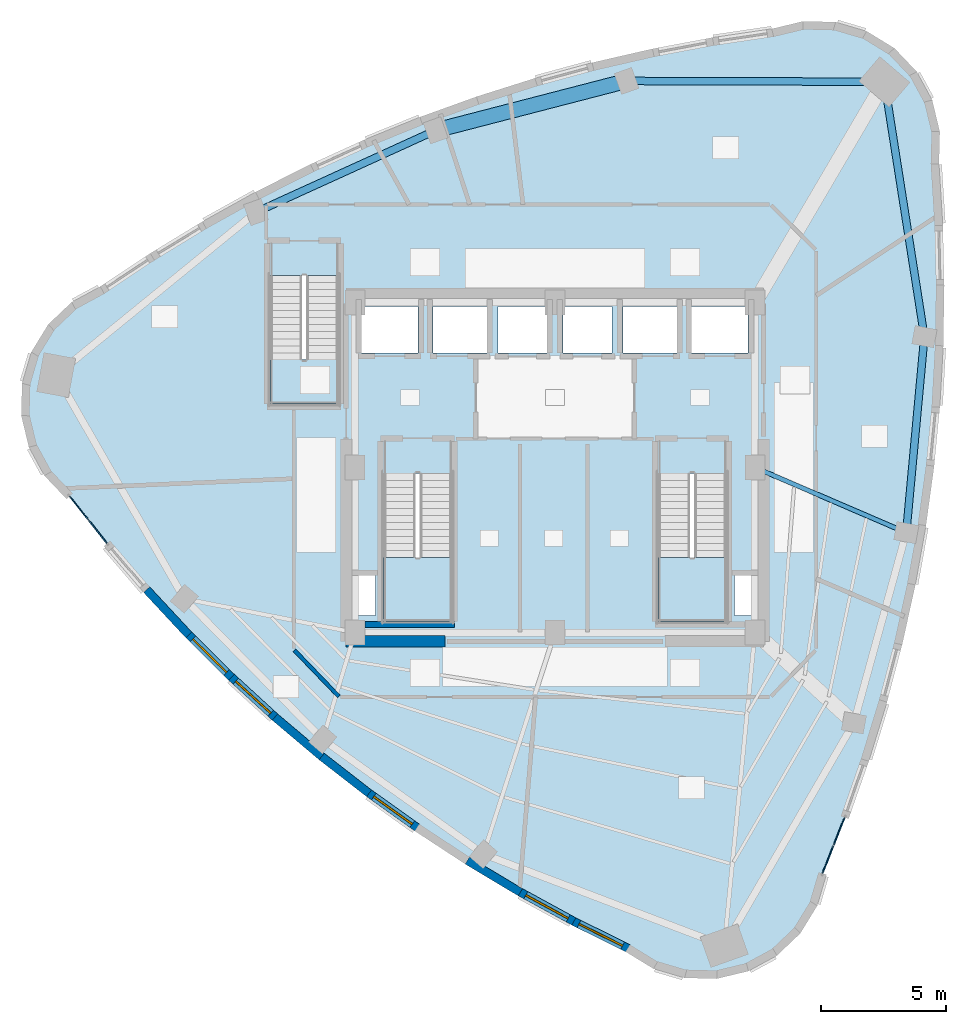
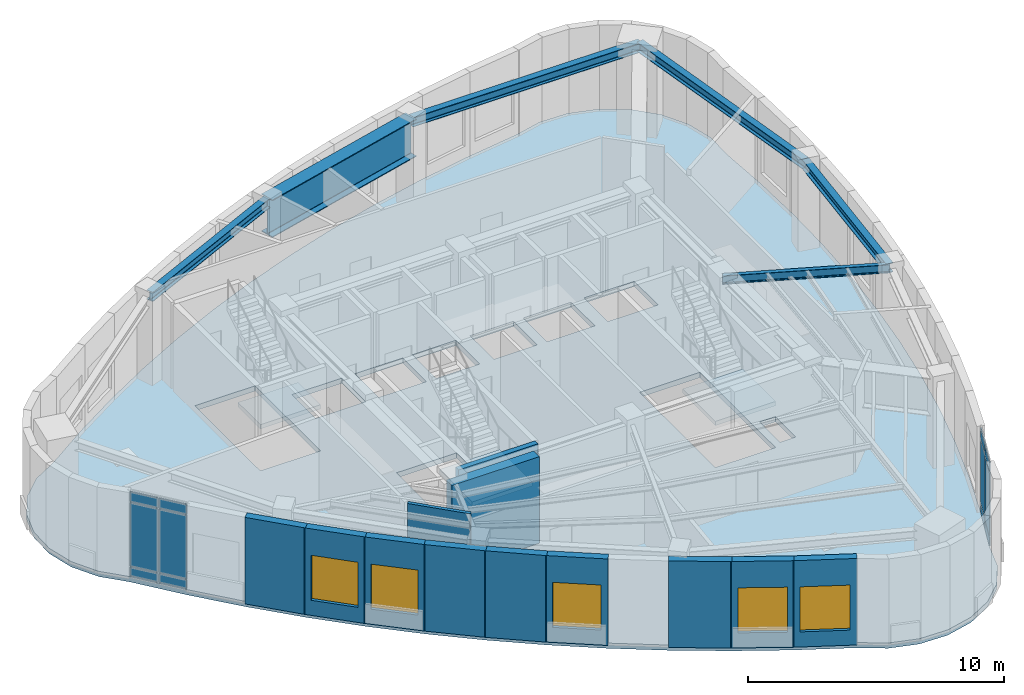
# One storey, part 7 of 14: 12 plates, 12 walls, 6 beams, 5 windows, 4 slabs, 5 openings, 5 elements without a shape of their own.
"""IFC4 building model written with IfcOpenShell, lengths in metres."""

from ifc_helpers import new_model, si_unit, direction, frame, frame_2d, origin, origin_2d, place, context, subcontext, project, spatial, polyline, rectangle, i_section, outline, extrude, material, layer, layer_set, material_profile, profile_set, type_object, element, fill, aggregate, save


model = new_model("IFC4")

# Units and contexts
model_context = context("Model", 3, precision=1e-05, world=origin(), true_north=direction((0.0, 1.0)))
body_context = subcontext(model_context, "Body", "Model", "MODEL_VIEW")
ifc_project = project(units=[si_unit("LENGTHUNIT", "METRE"), si_unit("AREAUNIT", "SQUARE_METRE"), si_unit("VOLUMEUNIT", "CUBIC_METRE"), si_unit("PLANEANGLEUNIT", "RADIAN"), si_unit("MASSUNIT", "GRAM", prefix="KILO")], contexts=[model_context])

# Site, building, storey
site_placement = place(None, origin())
site = spatial("IfcSite", under=ifc_project, at=site_placement, CompositionType="ELEMENT")
building_placement = place(site_placement, origin())
building = spatial("IfcBuilding", under=site, at=building_placement, Name="Ndelora Gate Hotel", CompositionType="ELEMENT")
storey_placement = place(building_placement, frame((0.0, 0.0, 281.60009765625)))
storey = spatial("IfcBuildingStorey", under=building, at=storey_placement, Name="L70", CompositionType="ELEMENT", Elevation=281.60009765625)

# Beams
ifc_material_1 = material(Name="Steel S355", Category="steel")
ifc_material_profile_1 = material_profile(ifc_material_1, i_section(OverallWidth=0.179931640625, OverallDepth=0.39990234375, WebThickness=0.008544921875, FlangeThickness=0.013427734375, FilletRadius=0.02099609375, at=origin_2d()), Name="IPE 400")
ifc_profile_set_1 = profile_set([ifc_material_profile_1], Name="Steel S355")
beam_type_1 = type_object("IfcBeamType", Name="BM-RAD-400", PredefinedType="BEAM", material=ifc_profile_set_1)
beam_1_placement = place(storey_placement, frame((8.0, 0.0, 3.919921875), z_axis=(0.918526539717, -0.395359324964, 0.0), x_axis=(0.395359324964, 0.918526539717, 0.0)))
element("IfcBeam", 1, at=beam_1_placement, inside=storey, type_object=beam_type_1, Name="L70 Radial Floor Girder 7", PredefinedType="BEAM", context=body_context, shape_type="SweptSolid", body=[
    extrude(i_section(OverallWidth=0.179931640625, OverallDepth=0.39990234375, WebThickness=0.008544921875, FlangeThickness=0.013427734375, FilletRadius=0.02099609375, at=origin_2d()), origin(), (0.0, 0.0, 1.0), 6.58642578125),
])
ifc_material_profile_2 = material_profile(ifc_material_1, i_section(OverallWidth=0.300048828125, OverallDepth=0.449951171875, WebThickness=0.013916015625, FlangeThickness=0.02587890625, FilletRadius=0.027099609375, at=origin_2d()), Name="HEB 450")
ifc_profile_set_2 = profile_set([ifc_material_profile_2], Name="Steel S355")
beam_type_2 = type_object("IfcBeamType", Name="BM-RING-450", PredefinedType="SPANDREL", material=ifc_profile_set_2)
beam_2_placement = place(storey_placement, frame((14.0498046875, -2.60400390625, 3.89501953125), z_axis=(0.092138400608, 0.995746210203, 0.0), x_axis=(-0.995746210203, 0.092138400608, 0.0)))
element("IfcBeam", 2, at=beam_2_placement, inside=storey, type_object=beam_type_2, Name="L70 Perimeter Spandrel Girder 7", PredefinedType="SPANDREL", context=body_context, shape_type="SweptSolid", body=[
    extrude(i_section(OverallWidth=0.300048828125, OverallDepth=0.449951171875, WebThickness=0.013916015625, FlangeThickness=0.02587890625, FilletRadius=0.027099609375, at=origin_2d()), origin(), (0.0, 0.0, 1.0), 7.86962890625),
])
beam_3_placement = place(storey_placement, frame((14.77490234375, 5.232177734375, 3.89501953125), z_axis=(-0.154824264006, 0.987942026272, 0.0), x_axis=(-0.987942026272, -0.154824264006, 0.0)))
element("IfcBeam", 3, at=beam_3_placement, inside=storey, type_object=beam_type_2, Name="L70 Perimeter Spandrel Girder 8", PredefinedType="SPANDREL", context=body_context, shape_type="SweptSolid", body=[
    extrude(i_section(OverallWidth=0.300048828125, OverallDepth=0.449951171875, WebThickness=0.013916015625, FlangeThickness=0.02587890625, FilletRadius=0.027099609375, at=origin_2d()), origin(), (0.0, 0.0, 1.0), 10.32080078125),
])
beam_4_placement = place(storey_placement, frame((13.177001953125, 15.428466796875, 3.89501953125), z_axis=(-0.999994967187, 0.003172632958, 0.0), x_axis=(-0.003172632958, -0.999994967187, 0.0)))
element("IfcBeam", 4, at=beam_4_placement, inside=storey, type_object=beam_type_2, Name="L70 Perimeter Spandrel Girder 9", PredefinedType="SPANDREL", context=body_context, shape_type="SweptSolid", body=[
    extrude(i_section(OverallWidth=0.300048828125, OverallDepth=0.449951171875, WebThickness=0.013916015625, FlangeThickness=0.02587890625, FilletRadius=0.027099609375, at=origin_2d()), origin(), (0.0, 0.0, 1.0), 10.3115234375),
])
beam_5_placement = place(storey_placement, frame((-4.7744140625, 13.482666015625, 3.90478515625), z_axis=(-0.910089762217, -0.414411178309, 0.0), x_axis=(0.414411178309, -0.910089762217, 0.0)))
element("IfcBeam", 5, at=beam_5_placement, inside=storey, type_object=beam_type_2, Name="L70 Perimeter Spandrel Girder 11", PredefinedType="SPANDREL", context=body_context, shape_type="SweptSolid", body=[
    extrude(i_section(OverallWidth=0.300048828125, OverallDepth=0.449951171875, WebThickness=0.013916015625, FlangeThickness=0.02587890625, FilletRadius=0.027099609375, at=origin_2d()), origin(), (0.0, 0.0, 1.0), 7.891845703125),
])
ifc_material_2 = material(Name="Steel S460", Category="steel")
ifc_material_profile_3 = material_profile(ifc_material_2, i_section(OverallWidth=0.60009765625, OverallDepth=1.800048828125, WebThickness=0.028076171875, FlangeThickness=0.0400390625, FilletRadius=0.02392578125, at=origin_2d()), Name="PG 1800x600x40")
ifc_profile_set_3 = profile_set([ifc_material_profile_3], Name="Steel S460")
beam_type_3 = type_object("IfcBeamType", Name="BM-TR-1800", PredefinedType="BEAM", material=ifc_profile_set_3)
beam_6_placement = place(storey_placement, frame((2.865478515625, 15.461181640625, 3.22998046875), z_axis=(-0.968064499617, -0.250701265615, 0.0), x_axis=(0.250701265615, -0.968064499617, 0.0)))
element("IfcBeam", 6, at=beam_6_placement, inside=storey, type_object=beam_type_3, Name="L70 East Crown North Transfer Girder TG-1", PredefinedType="BEAM", context=body_context, shape_type="SweptSolid", body=[
    extrude(i_section(OverallWidth=0.60009765625, OverallDepth=1.800048828125, WebThickness=0.028076171875, FlangeThickness=0.0400390625, FilletRadius=0.02392578125, at=origin_2d()), origin(), (0.0, 0.0, 1.0), 7.891845703125),
])

# Curtain wall, plates
ifc_material_3 = material(Name="Bronze Anodised Unitised Aluminium and Low-E Glass", Category="aluminium")
ifc_layer_1 = layer(ifc_material_3, 0.219970703125)
ifc_layer_set_1 = layer_set([ifc_layer_1], Name="Bronze Anodised Unitised Aluminium and Low-E Glass")
curtain_wall_type = type_object("IfcCurtainWallType", Name="CW-SYS-6", PredefinedType="NOTDEFINED", material=ifc_layer_set_1)
curtain_wall_1_placement = place(storey_placement, origin())
curtain_wall_1 = element("IfcCurtainWall", 7, at=curtain_wall_1_placement, inside=storey, type_object=curtain_wall_type, Name="L70 Crown Sky-Restaurant & Cocktail Bar Curtain Wall 1", PredefinedType="NOTDEFINED")
ifc_material_4 = material(Name="Solar-Control Low-E Insulated Glazing", Category="glass")
ifc_layer_2 = layer(ifc_material_4, 0.048095703125)
ifc_layer_set_2 = layer_set([ifc_layer_2], Name="Solar-Control Low-E Insulated Glazing")
plate_type = type_object("IfcPlateType", Name="PL-CW-GLZ36", PredefinedType="CURTAIN_PANEL", material=ifc_layer_set_2)
plate_1_placement = place(storey_placement, frame((-19.042236328125, -1.61767578125, 0.058837890625), z_axis=(0.0, 0.0, 1.0), x_axis=(0.621504931243, -0.783410250406, 0.0)))
plate_1 = element("IfcPlate", 8, at=plate_1_placement, type_object=plate_type, Name="CW6 panel 1.1", PredefinedType="CURTAIN_PANEL", context=body_context, shape_type="SweptSolid", body=[
    extrude(rectangle(XDim=1.162841796875, YDim=0.048095703125, at=origin_2d()), origin(), (0.0, 0.0, 1.0), 0.41455078125),
])
plate_2_placement = place(storey_placement, frame((-19.042236328125, -1.61767578125, 0.5263671875), z_axis=(0.0, 0.0, 1.0), x_axis=(0.621504931243, -0.783410250406, 0.0)))
plate_2 = element("IfcPlate", 9, at=plate_2_placement, type_object=plate_type, Name="CW6 panel 1.2", PredefinedType="CURTAIN_PANEL", context=body_context, shape_type="SweptSolid", body=[
    extrude(rectangle(XDim=1.162841796875, YDim=0.048095703125, at=origin_2d()), origin(), (0.0, 0.0, 1.0), 3.027099609375),
])
plate_3_placement = place(storey_placement, frame((-19.042236328125, -1.61767578125, 3.6064453125), z_axis=(0.0, 0.0, 1.0), x_axis=(0.621504931243, -0.783410250406, 0.0)))
plate_3 = element("IfcPlate", 10, at=plate_3_placement, type_object=plate_type, Name="CW6 panel 1.3", PredefinedType="CURTAIN_PANEL", context=body_context, shape_type="SweptSolid", body=[
    extrude(rectangle(XDim=1.162841796875, YDim=0.048095703125, at=origin_2d()), origin(), (0.0, 0.0, 1.0), 0.464599609375),
])
plate_4_placement = place(storey_placement, frame((-18.28662109375, -2.570068359375, 0.058837890625), z_axis=(0.0, 0.0, 1.0), x_axis=(0.621504931243, -0.783410250406, 0.0)))
plate_4 = element("IfcPlate", 11, at=plate_4_placement, type_object=plate_type, Name="CW6 panel 2.1", PredefinedType="CURTAIN_PANEL", context=body_context, shape_type="SweptSolid", body=[
    extrude(rectangle(XDim=1.162841796875, YDim=0.048095703125, at=origin_2d()), origin(), (0.0, 0.0, 1.0), 0.41455078125),
])
plate_5_placement = place(storey_placement, frame((-18.28662109375, -2.570068359375, 0.5263671875), z_axis=(0.0, 0.0, 1.0), x_axis=(0.621504931243, -0.783410250406, 0.0)))
plate_5 = element("IfcPlate", 12, at=plate_5_placement, type_object=plate_type, Name="CW6 panel 2.2", PredefinedType="CURTAIN_PANEL", context=body_context, shape_type="SweptSolid", body=[
    extrude(rectangle(XDim=1.162841796875, YDim=0.048095703125, at=origin_2d()), origin(), (0.0, 0.0, 1.0), 3.027099609375),
])
plate_6_placement = place(storey_placement, frame((-18.28662109375, -2.570068359375, 3.6064453125), z_axis=(0.0, 0.0, 1.0), x_axis=(0.621504931243, -0.783410250406, 0.0)))
plate_6 = element("IfcPlate", 13, at=plate_6_placement, type_object=plate_type, Name="CW6 panel 2.3", PredefinedType="CURTAIN_PANEL", context=body_context, shape_type="SweptSolid", body=[
    extrude(rectangle(XDim=1.162841796875, YDim=0.048095703125, at=origin_2d()), origin(), (0.0, 0.0, 1.0), 0.464599609375),
])
aggregate(curtain_wall_1, [plate_1, plate_2, plate_3, plate_4, plate_5, plate_6])

curtain_wall_2_placement = place(storey_placement, origin())
curtain_wall_2 = element("IfcCurtainWall", 14, at=curtain_wall_2_placement, inside=storey, type_object=curtain_wall_type, Name="L70 Crown Sky-Restaurant & Cocktail Bar Curtain Wall 2", PredefinedType="NOTDEFINED")
plate_7_placement = place(storey_placement, frame((10.922119140625, -15.682373046875, 0.058837890625), z_axis=(0.0, 0.0, 1.0), x_axis=(0.367699973869, 0.929944476416, 0.0)))
plate_7 = element("IfcPlate", 15, at=plate_7_placement, type_object=plate_type, Name="CW6 panel 1.1", PredefinedType="CURTAIN_PANEL", context=body_context, shape_type="SweptSolid", body=[
    extrude(rectangle(XDim=1.162841796875, YDim=0.048095703125, at=origin_2d()), origin(), (0.0, 0.0, 1.0), 0.41455078125),
])
plate_8_placement = place(storey_placement, frame((10.922119140625, -15.682373046875, 0.5263671875), z_axis=(0.0, 0.0, 1.0), x_axis=(0.367699973869, 0.929944476416, 0.0)))
plate_8 = element("IfcPlate", 16, at=plate_8_placement, type_object=plate_type, Name="CW6 panel 1.2", PredefinedType="CURTAIN_PANEL", context=body_context, shape_type="SweptSolid", body=[
    extrude(rectangle(XDim=1.162841796875, YDim=0.048095703125, at=origin_2d()), origin(), (0.0, 0.0, 1.0), 3.027099609375),
])
plate_9_placement = place(storey_placement, frame((10.922119140625, -15.682373046875, 3.6064453125), z_axis=(0.0, 0.0, 1.0), x_axis=(0.367699973869, 0.929944476416, 0.0)))
plate_9 = element("IfcPlate", 17, at=plate_9_placement, type_object=plate_type, Name="CW6 panel 1.3", PredefinedType="CURTAIN_PANEL", context=body_context, shape_type="SweptSolid", body=[
    extrude(rectangle(XDim=1.162841796875, YDim=0.048095703125, at=origin_2d()), origin(), (0.0, 0.0, 1.0), 0.464599609375),
])
plate_10_placement = place(storey_placement, frame((11.369140625, -14.5517578125, 0.058837890625), z_axis=(0.0, 0.0, 1.0), x_axis=(0.367699973869, 0.929944476416, 0.0)))
plate_10 = element("IfcPlate", 18, at=plate_10_placement, type_object=plate_type, Name="CW6 panel 2.1", PredefinedType="CURTAIN_PANEL", context=body_context, shape_type="SweptSolid", body=[
    extrude(rectangle(XDim=1.162841796875, YDim=0.048095703125, at=origin_2d()), origin(), (0.0, 0.0, 1.0), 0.41455078125),
])
plate_11_placement = place(storey_placement, frame((11.369140625, -14.5517578125, 0.5263671875), z_axis=(0.0, 0.0, 1.0), x_axis=(0.367699973869, 0.929944476416, 0.0)))
plate_11 = element("IfcPlate", 19, at=plate_11_placement, type_object=plate_type, Name="CW6 panel 2.2", PredefinedType="CURTAIN_PANEL", context=body_context, shape_type="SweptSolid", body=[
    extrude(rectangle(XDim=1.162841796875, YDim=0.048095703125, at=origin_2d()), origin(), (0.0, 0.0, 1.0), 3.027099609375),
])
plate_12_placement = place(storey_placement, frame((11.369140625, -14.5517578125, 3.6064453125), z_axis=(0.0, 0.0, 1.0), x_axis=(0.367699973869, 0.929944476416, 0.0)))
plate_12 = element("IfcPlate", 20, at=plate_12_placement, type_object=plate_type, Name="CW6 panel 2.3", PredefinedType="CURTAIN_PANEL", context=body_context, shape_type="SweptSolid", body=[
    extrude(rectangle(XDim=1.162841796875, YDim=0.048095703125, at=origin_2d()), origin(), (0.0, 0.0, 1.0), 0.464599609375),
])
aggregate(curtain_wall_2, [plate_7, plate_8, plate_9, plate_10, plate_11, plate_12])

# Stair, slab
ifc_material_5 = material(Name="Precast concrete C40/50", Category="concrete")
stair_type = type_object("IfcStairType", Name="STR-DOG-CORE", PredefinedType="HALF_TURN_STAIR", material=ifc_material_5)
stair_1_placement = place(storey_placement, origin())
stair_1 = element("IfcStair", 21, at=stair_1_placement, inside=storey, type_object=stair_type, Name="L70 Protected Core Exit Stair ST4", PredefinedType="HALF_TURN_STAIR")
ifc_layer_3 = layer(ifc_material_5, 0.219970703125)
ifc_layer_set_3 = layer_set([ifc_layer_3], Name="Precast concrete C40/50")
slab_type_1 = type_object("IfcSlabType", Name="SL-LAND-220", PredefinedType="LANDING", material=ifc_layer_set_3)
slab_1_placement = place(storey_placement, frame((0.0, 0.0, 2.0)))
slab_1 = element("IfcSlab", 22, at=slab_1_placement, type_object=slab_type_1, Name="ST4 landing 1", PredefinedType="LANDING", context=body_context, shape_type="SweptSolid", body=[
    extrude(outline(polyline([(-6.85009765625, -3.590087890625), (-6.85009765625, -6.14990234375), (-4.1298828125, -6.14990234375), (-4.1298828125, -3.590087890625), (-6.85009765625, -3.590087890625)])), origin(), (0.0, 0.0, 1.0), 0.199951171875),
])
aggregate(stair_1, [slab_1])

stair_2_placement = place(storey_placement, origin())
stair_2 = element("IfcStair", 23, at=stair_2_placement, inside=storey, type_object=stair_type, Name="L70 Protected Core Exit Stair ST5", PredefinedType="HALF_TURN_STAIR")
slab_2_placement = place(storey_placement, frame((0.0, 0.0, 2.0)))
slab_2 = element("IfcSlab", 24, at=slab_2_placement, type_object=slab_type_1, Name="ST5 landing 1", PredefinedType="LANDING", context=body_context, shape_type="SweptSolid", body=[
    extrude(outline(polyline([(4.1298828125, -3.590087890625), (4.1298828125, -6.14990234375), (6.85009765625, -6.14990234375), (6.85009765625, -3.590087890625), (4.1298828125, -3.590087890625)])), origin(), (0.0, 0.0, 1.0), 0.199951171875),
])
aggregate(stair_2, [slab_2])

stair_3_placement = place(storey_placement, origin())
stair_3 = element("IfcStair", 25, at=stair_3_placement, inside=storey, type_object=stair_type, Name="L70 Crown Observation Exit Stair ST6", PredefinedType="HALF_TURN_STAIR")
slab_3_placement = place(storey_placement, frame((0.0, 0.0, 2.0)))
slab_3 = element("IfcSlab", 26, at=slab_3_placement, type_object=slab_type_1, Name="ST6 landing 1", PredefinedType="LANDING", context=body_context, shape_type="SweptSolid", body=[
    extrude(outline(polyline([(-11.389892578125, 4.31005859375), (-11.389892578125, 2.550048828125), (-8.669921875, 2.550048828125), (-8.669921875, 4.31005859375), (-11.389892578125, 4.31005859375)])), origin(), (0.0, 0.0, 1.0), 0.199951171875),
])
aggregate(stair_3, [slab_3])

# Slab
ifc_material_6 = material(Name="Concrete C40/50", Category="concrete")
ifc_layer_4 = layer(ifc_material_6, 0.25)
ifc_layer_set_4 = layer_set([ifc_layer_4], Name="Concrete C40/50")
slab_type_2 = type_object("IfcSlabType", Name="SL-TWR-250", PredefinedType="FLOOR", material=ifc_layer_set_4)
slab_4_placement = place(storey_placement, frame((0.0, 0.0, -0.25)))
element("IfcSlab", 27, at=slab_4_placement, inside=storey, type_object=slab_type_2, Name="L70 Structural Floor Slab", PredefinedType="FLOOR", context=body_context, shape_type="SweptSolid", body=[
    extrude(outline(polyline([(-18.12744140625, 7.079833984375), (-19.228515625, 6.48193359375), (-20.137451171875, 5.619384765625), (-20.792236328125, 4.551025390625), (-21.148193359375, 3.349609375), (-21.180908203125, 2.096923828125), (-20.888427734375, 0.87841796875), (-20.29052734375, -0.22265625), (-19.427978515625, -1.131591796875), (-17.901123046875, -3.05615234375), (-16.31298828125, -4.905029296875), (-14.663818359375, -6.678466796875), (-12.953369140625, -8.376220703125), (-11.181884765625, -9.99853515625), (-9.34912109375, -11.545166015625), (-7.455078125, -13.016357421875), (-5.5, -14.411865234375), (-3.483642578125, -15.73193359375), (-1.40625, -16.976318359375), (0.732421875, -18.145263671875), (2.932373046875, -19.23876953125), (4.000732421875, -19.893310546875), (5.2021484375, -20.249267578125), (6.454833984375, -20.281982421875), (7.67333984375, -19.989501953125), (8.7744140625, -19.3916015625), (9.683349609375, -18.529052734375), (10.338134765625, -17.460693359375), (10.694091796875, -16.25927734375), (11.59716796875, -13.974609375), (12.404296875, -11.675048828125), (13.115478515625, -9.360107421875), (13.730712890625, -7.02978515625), (14.25, -4.6845703125), (14.673095703125, -2.323974609375), (15.0, 0.0517578125), (15.231201171875, 2.44287109375), (15.3662109375, 4.84912109375), (15.405029296875, 7.2705078125), (15.347900390625, 9.70703125), (15.195068359375, 12.15869140625), (15.227783203125, 13.41162109375), (14.935302734375, 14.6298828125), (14.33740234375, 15.731201171875), (13.474853515625, 16.639892578125), (12.406494140625, 17.294677734375), (11.205078125, 17.650634765625), (9.952392578125, 17.683349609375), (8.73388671875, 17.390869140625), (6.303955078125, 17.031005859375), (3.90869140625, 16.580078125), (1.548095703125, 16.03857421875), (-0.77734375, 15.406005859375), (-3.068115234375, 14.68310546875), (-5.323974609375, 13.869140625), (-7.544921875, 12.964599609375), (-9.731201171875, 11.968994140625), (-11.88232421875, 10.8828125), (-13.998779296875, 9.7060546875), (-16.08056640625, 8.438232421875), (-18.12744140625, 7.079833984375)]), holes=[polyline([(-6.85009765625, -0.22998046875), (-6.85009765625, -6.14990234375), (-4.1298828125, -6.14990234375), (-4.1298828125, -0.22998046875), (-6.85009765625, -0.22998046875)]), polyline([(4.1298828125, -0.22998046875), (4.1298828125, -6.14990234375), (6.85009765625, -6.14990234375), (6.85009765625, -0.22998046875), (4.1298828125, -0.22998046875)]), polyline([(-11.389892578125, 7.669921875), (-11.389892578125, 2.550048828125), (-8.669921875, 2.550048828125), (-8.669921875, 7.669921875), (-11.389892578125, 7.669921875)]), polyline([(-7.72998046875, 4.570068359375), (-5.469970703125, 4.570068359375), (-5.469970703125, 6.429931640625), (-7.72998046875, 6.429931640625), (-7.72998046875, 4.570068359375)]), polyline([(5.469970703125, 4.570068359375), (7.72998046875, 4.570068359375), (7.72998046875, 6.429931640625), (5.469970703125, 6.429931640625), (5.469970703125, 4.570068359375)]), polyline([(-4.8798828125, 4.570068359375), (-2.719970703125, 4.570068359375), (-2.719970703125, 6.429931640625), (-4.8798828125, 6.429931640625), (-4.8798828125, 4.570068359375)]), polyline([(2.719970703125, 4.570068359375), (4.8798828125, 4.570068359375), (4.8798828125, 6.429931640625), (2.719970703125, 6.429931640625), (2.719970703125, 4.570068359375)]), polyline([(-2.280029296875, 4.570068359375), (-0.320068359375, 4.570068359375), (-0.320068359375, 6.429931640625), (-2.280029296875, 6.429931640625), (-2.280029296875, 4.570068359375)]), polyline([(0.320068359375, 4.570068359375), (2.280029296875, 4.570068359375), (2.280029296875, 6.429931640625), (0.320068359375, 6.429931640625), (0.320068359375, 4.570068359375)]), polyline([(-7.89990234375, -5.919921875), (-7.179931640625, -5.919921875), (-7.179931640625, -4.320068359375), (-7.89990234375, -4.320068359375), (-7.89990234375, -5.919921875)]), polyline([(7.179931640625, -5.919921875), (7.89990234375, -5.919921875), (7.89990234375, -4.320068359375), (7.179931640625, -4.320068359375), (7.179931640625, -5.919921875)])]), origin(), (0.0, 0.0, 1.0), 0.25),
])

# Wall
ifc_material_7 = material(Name="Clay Brick Masonry", Category="masonry")
ifc_layer_5 = layer(ifc_material_7, 0.330078125)
ifc_layer_set_5 = layer_set([ifc_layer_5], Name="Clay Brick Masonry")
wall_type_1 = type_object("IfcWallType", Name="WL-BRICK-330", PredefinedType="SOLIDWALL", material=ifc_layer_set_5)
wall_1_placement = place(storey_placement, frame((-14.646728515625, -6.69677734375, 0.0), z_axis=(0.0, 0.0, 1.0), x_axis=(-0.681011582837, 0.732272643242, 0.0)))
element("IfcWall", 28, at=wall_1_placement, inside=storey, type_object=wall_type_1, Name="L70 Tower Brick Pier-and-Spandrel Wall TWR-11", PredefinedType="SOLIDWALL", context=body_context, shape_type="SweptSolid", body=[
    extrude(rectangle(XDim=2.471923828125, YDim=0.330078125, at=frame_2d((1.23583984375, 0.0))), origin(), (0.0, 0.0, 1.0), 4.1298828125),
])

# Wall, opening, window
wall_2_placement = place(storey_placement, frame((-12.935791015625, -8.393798828125, 0.0), z_axis=(0.0, 0.0, 1.0), x_axis=(-0.709682736457, 0.704521407464, 0.0)))
wall_2 = element("IfcWall", 29, at=wall_2_placement, inside=storey, type_object=wall_type_1, Name="L70 Tower Brick Pier-and-Spandrel Wall TWR-12", PredefinedType="SOLIDWALL", context=body_context, shape_type="SweptSolid", body=[
    extrude(rectangle(XDim=2.459716796875, YDim=0.330078125, at=frame_2d((1.22998046875, 0.0))), origin(), (0.0, 0.0, 1.0), 4.1298828125),
])
opening_1_placement = place(wall_2_placement, frame((0.280029296875, 0.0, 0.719970703125)))
opening_1 = element("IfcOpeningElement", 30, at=opening_1_placement, cuts=wall_2, Name="Opening W05", PredefinedType="OPENING", context=body_context, shape_type="SweptSolid", body=[
    extrude(rectangle(XDim=1.89990234375, YDim=2.14990234375, at=frame_2d((0.949951171875, 1.074951171875))), frame((0.0, 0.175048828125, 0.0), z_axis=(0.0, -1.0, 0.0), x_axis=(1.0, 0.0, 0.0)), (0.0, 0.0, 1.0), 0.35009765625),
])
ifc_material_8 = material(Name="Insulated Low-E Double Glazing in Bronze Aluminium Frame", Category="aluminium")
window_type = type_object("IfcWindowType", Name="WN-SKY-2000", PartitioningType="SINGLE_PANEL", PredefinedType="WINDOW", material=ifc_material_8)
window_1_placement = place(opening_1_placement, origin())
window_1 = element("IfcWindow", 31, at=window_1_placement, inside=storey, type_object=window_type, Name="L70 Deep-Set Brick-Pier Window W05", OverallHeight=2.14990234375, OverallWidth=1.89990234375, PartitioningType="SINGLE_PANEL", PredefinedType="WINDOW", context=body_context, shape_type="SweptSolid", body=[
    extrude(rectangle(XDim=1.89990234375, YDim=2.14990234375, at=frame_2d((0.949951171875, 1.074951171875))), frame((0.0, 0.030029296875, 0.0), z_axis=(0.0, -1.0, 0.0), x_axis=(1.0, 0.0, 0.0)), (0.0, 0.0, 1.0), 0.06005859375),
])
fill(opening_1, window_1)

wall_3_placement = place(storey_placement, frame((-11.16357421875, -10.015380859375, 0.0), z_axis=(0.0, 0.0, 1.0), x_axis=(-0.73744340021, 0.675408936487, 0.0)))
wall_3 = element("IfcWall", 32, at=wall_3_placement, inside=storey, type_object=wall_type_1, Name="L70 Tower Brick Pier-and-Spandrel Wall TWR-13", PredefinedType="SOLIDWALL", context=body_context, shape_type="SweptSolid", body=[
    extrude(rectangle(XDim=2.451904296875, YDim=0.330078125, at=frame_2d((1.22607421875, 0.0))), origin(), (0.0, 0.0, 1.0), 4.1298828125),
])
opening_2_placement = place(wall_3_placement, frame((0.281005859375, 0.0, 0.719970703125)))
opening_2 = element("IfcOpeningElement", 33, at=opening_2_placement, cuts=wall_3, Name="Opening W05", PredefinedType="OPENING", context=body_context, shape_type="SweptSolid", body=[
    extrude(rectangle(XDim=1.889892578125, YDim=2.14990234375, at=frame_2d((0.94482421875, 1.074951171875))), frame((0.0, 0.175048828125, 0.0), z_axis=(0.0, -1.0, 0.0), x_axis=(1.0, 0.0, 0.0)), (0.0, 0.0, 1.0), 0.35009765625),
])
window_2_placement = place(opening_2_placement, origin())
window_2 = element("IfcWindow", 34, at=window_2_placement, inside=storey, type_object=window_type, Name="L70 Deep-Set Brick-Pier Window W05", OverallHeight=2.14990234375, OverallWidth=1.889892578125, PartitioningType="SINGLE_PANEL", PredefinedType="WINDOW", context=body_context, shape_type="SweptSolid", body=[
    extrude(rectangle(XDim=1.889892578125, YDim=2.14990234375, at=frame_2d((0.94482421875, 1.074951171875))), frame((0.0, 0.030029296875, 0.0), z_axis=(0.0, -1.0, 0.0), x_axis=(1.0, 0.0, 0.0)), (0.0, 0.0, 1.0), 0.06005859375),
])
fill(opening_2, window_2)

# Walls
wall_4_placement = place(storey_placement, frame((-9.330078125, -11.561279296875, 0.0), z_axis=(0.0, 0.0, 1.0), x_axis=(-0.764225429478, 0.644949217334, 0.0)))
element("IfcWall", 35, at=wall_4_placement, inside=storey, type_object=wall_type_1, Name="L70 Tower Brick Pier-and-Spandrel Wall TWR-14", PredefinedType="SOLIDWALL", context=body_context, shape_type="SweptSolid", body=[
    extrude(rectangle(XDim=2.447998046875, YDim=0.330078125, at=frame_2d((1.22412109375, 0.0))), origin(), (0.0, 0.0, 1.0), 4.1298828125),
])
wall_5_placement = place(storey_placement, frame((-7.435302734375, -13.031494140625, 0.0), z_axis=(0.0, 0.0, 1.0), x_axis=(-0.789786954421, 0.613381257152, 0.0)))
element("IfcWall", 36, at=wall_5_placement, inside=storey, type_object=wall_type_1, Name="L70 Tower Brick Pier-and-Spandrel Wall TWR-15", PredefinedType="SOLIDWALL", context=body_context, shape_type="SweptSolid", body=[
    extrude(rectangle(XDim=2.4482421875, YDim=0.330078125, at=frame_2d((1.22412109375, 0.0))), origin(), (0.0, 0.0, 1.0), 4.1298828125),
])

# Wall, opening, window
wall_6_placement = place(storey_placement, frame((-5.479736328125, -14.426513671875, 0.0), z_axis=(0.0, 0.0, 1.0), x_axis=(-0.813854547638, 0.581068649378, 0.0)))
wall_6 = element("IfcWall", 37, at=wall_6_placement, inside=storey, type_object=wall_type_1, Name="L70 Tower Brick Pier-and-Spandrel Wall TWR-16", PredefinedType="SOLIDWALL", context=body_context, shape_type="SweptSolid", body=[
    extrude(rectangle(XDim=2.4521484375, YDim=0.330078125, at=frame_2d((1.22607421875, 0.0))), origin(), (0.0, 0.0, 1.0), 4.1298828125),
])
opening_3_placement = place(wall_6_placement, frame((0.281005859375, 0.0, 0.719970703125)))
opening_3 = element("IfcOpeningElement", 38, at=opening_3_placement, cuts=wall_6, Name="Opening W05", PredefinedType="OPENING", context=body_context, shape_type="SweptSolid", body=[
    extrude(rectangle(XDim=1.889892578125, YDim=2.14990234375, at=frame_2d((0.94482421875, 1.074951171875))), frame((0.0, 0.175048828125, 0.0), z_axis=(0.0, -1.0, 0.0), x_axis=(1.0, 0.0, 0.0)), (0.0, 0.0, 1.0), 0.35009765625),
])
window_3_placement = place(opening_3_placement, origin())
window_3 = element("IfcWindow", 39, at=window_3_placement, inside=storey, type_object=window_type, Name="L70 Deep-Set Brick-Pier Window W05", OverallHeight=2.14990234375, OverallWidth=1.889892578125, PartitioningType="SINGLE_PANEL", PredefinedType="WINDOW", context=body_context, shape_type="SweptSolid", body=[
    extrude(rectangle(XDim=1.889892578125, YDim=2.14990234375, at=frame_2d((0.94482421875, 1.074951171875))), frame((0.0, 0.030029296875, 0.0), z_axis=(0.0, -1.0, 0.0), x_axis=(1.0, 0.0, 0.0)), (0.0, 0.0, 1.0), 0.06005859375),
])
fill(opening_3, window_3)

# Wall
wall_7_placement = place(storey_placement, frame((-1.384765625, -16.9892578125, 0.0), z_axis=(0.0, 0.0, 1.0), x_axis=(-0.857841338579, 0.513914621143, 0.0)))
element("IfcWall", 40, at=wall_7_placement, inside=storey, type_object=wall_type_1, Name="L70 Tower Brick Pier-and-Spandrel Wall TWR-18", PredefinedType="SOLIDWALL", context=body_context, shape_type="SweptSolid", body=[
    extrude(rectangle(XDim=2.4716796875, YDim=0.330078125, at=frame_2d((1.23583984375, 0.0))), origin(), (0.0, 0.0, 1.0), 4.1298828125),
])

# Wall, opening, window
wall_8_placement = place(storey_placement, frame((0.75439453125, -18.1572265625, 0.0), z_axis=(0.0, 0.0, 1.0), x_axis=(-0.877475074231, 0.479622241044, 0.0)))
wall_8 = element("IfcWall", 41, at=wall_8_placement, inside=storey, type_object=wall_type_1, Name="L70 Tower Brick Pier-and-Spandrel Wall TWR-19", PredefinedType="SOLIDWALL", context=body_context, shape_type="SweptSolid", body=[
    extrude(rectangle(XDim=2.487060546875, YDim=0.330078125, at=frame_2d((1.24365234375, 0.0))), origin(), (0.0, 0.0, 1.0), 4.1298828125),
])
opening_4_placement = place(wall_8_placement, frame((0.260009765625, 0.0, 0.719970703125)))
opening_4 = element("IfcOpeningElement", 42, at=opening_4_placement, cuts=wall_8, Name="Opening W05", PredefinedType="OPENING", context=body_context, shape_type="SweptSolid", body=[
    extrude(rectangle(XDim=1.929931640625, YDim=2.14990234375, at=frame_2d((0.96484375, 1.074951171875))), frame((0.0, 0.175048828125, 0.0), z_axis=(0.0, -1.0, 0.0), x_axis=(1.0, 0.0, 0.0)), (0.0, 0.0, 1.0), 0.35009765625),
])
window_4_placement = place(opening_4_placement, origin())
window_4 = element("IfcWindow", 43, at=window_4_placement, inside=storey, type_object=window_type, Name="L70 Deep-Set Brick-Pier Window W05", OverallHeight=2.14990234375, OverallWidth=1.929931640625, PartitioningType="SINGLE_PANEL", PredefinedType="WINDOW", context=body_context, shape_type="SweptSolid", body=[
    extrude(rectangle(XDim=1.929931640625, YDim=2.14990234375, at=frame_2d((0.96484375, 1.074951171875))), frame((0.0, 0.030029296875, 0.0), z_axis=(0.0, -1.0, 0.0), x_axis=(1.0, 0.0, 0.0)), (0.0, 0.0, 1.0), 0.06005859375),
])
fill(opening_4, window_4)

wall_9_placement = place(storey_placement, frame((2.954833984375, -19.249755859375, 0.0), z_axis=(0.0, 0.0, 1.0), x_axis=(-0.895515434076, 0.445030456634, 0.0)))
wall_9 = element("IfcWall", 44, at=wall_9_placement, inside=storey, type_object=wall_type_1, Name="L70 Tower Brick Pier-and-Spandrel Wall TWR-20", PredefinedType="SOLIDWALL", context=body_context, shape_type="SweptSolid", body=[
    extrude(rectangle(XDim=2.506591796875, YDim=0.330078125, at=frame_2d((1.25341796875, 0.0))), origin(), (0.0, 0.0, 1.0), 4.1298828125),
])
opening_5_placement = place(wall_9_placement, frame((0.2783203125, 0.0, 0.719970703125)))
opening_5 = element("IfcOpeningElement", 45, at=opening_5_placement, cuts=wall_9, Name="Opening W05", PredefinedType="OPENING", context=body_context, shape_type="SweptSolid", body=[
    extrude(rectangle(XDim=1.949951171875, YDim=2.14990234375, at=frame_2d((0.97509765625, 1.074951171875))), frame((0.0, 0.175048828125, 0.0), z_axis=(0.0, -1.0, 0.0), x_axis=(1.0, 0.0, 0.0)), (0.0, 0.0, 1.0), 0.35009765625),
])
window_5_placement = place(opening_5_placement, origin())
window_5 = element("IfcWindow", 46, at=window_5_placement, inside=storey, type_object=window_type, Name="L70 Deep-Set Brick-Pier Window W05", OverallHeight=2.14990234375, OverallWidth=1.949951171875, PartitioningType="SINGLE_PANEL", PredefinedType="WINDOW", context=body_context, shape_type="SweptSolid", body=[
    extrude(rectangle(XDim=1.949951171875, YDim=2.14990234375, at=frame_2d((0.97509765625, 1.074951171875))), frame((0.0, 0.030029296875, 0.0), z_axis=(0.0, -1.0, 0.0), x_axis=(1.0, 0.0, 0.0)), (0.0, 0.0, 1.0), 0.06005859375),
])
fill(opening_5, window_5)

# Walls
ifc_material_9 = material(Name="Concrete C50/60", Category="concrete")
ifc_layer_6 = layer(ifc_material_9, 0.449951171875)
ifc_layer_set_6 = layer_set([ifc_layer_6], Name="Concrete C50/60")
wall_type_2 = type_object("IfcWallType", Name="WL-CORE-450", PredefinedType="SHEAR", material=ifc_layer_set_6)
wall_10_placement = place(storey_placement, frame((-8.35009765625, -6.949951171875, 0.0), z_axis=(0.0, 0.0, 1.0), x_axis=(1.0, 0.0, 0.0)))
element("IfcWall", 47, at=wall_10_placement, inside=storey, type_object=wall_type_2, Name="L70 Core Shear Wall S-W", PredefinedType="SHEAR", context=body_context, shape_type="SweptSolid", body=[
    extrude(rectangle(XDim=3.9501953125, YDim=0.449951171875, at=frame_2d((1.97509765625, 0.0))), origin(), (0.0, 0.0, 1.0), 4.1298828125),
])
ifc_material_10 = material(Name="Fire-Rated Gypsum Stud Partition", Category="gypsum")
ifc_layer_7 = layer(ifc_material_10, 0.14990234375)
ifc_layer_set_7 = layer_set([ifc_layer_7], Name="Fire-Rated Gypsum Stud Partition")
wall_type_3 = type_object("IfcWallType", Name="WL-PART-150", PredefinedType="PARTITIONING", material=ifc_layer_set_7)
wall_11_placement = place(storey_placement, frame((-8.647705078125, -9.151123046875, 0.0), z_axis=(0.0, 0.0, 1.0), x_axis=(-0.693764562202, 0.720201869085, 0.0)))
element("IfcWall", 48, at=wall_11_placement, inside=storey, type_object=wall_type_3, Name="L70 Interior Wall IW-5", PredefinedType="PARTITIONING", context=body_context, shape_type="SweptSolid", body=[
    extrude(rectangle(XDim=2.55810546875, YDim=0.14990234375, at=frame_2d((1.279052734375, 0.0))), origin(), (0.0, 0.0, 1.0), 4.1298828125),
])
ifc_layer_8 = layer(ifc_material_9, 0.239990234375)
ifc_layer_set_8 = layer_set([ifc_layer_8], Name="Concrete C50/60")
wall_type_4 = type_object("IfcWallType", Name="WL-STAIR-240", PredefinedType="SHEAR", material=ifc_layer_set_8)
wall_12_placement = place(storey_placement, frame((-7.60009765625, -6.27001953125, 0.0), z_axis=(0.0, 0.0, 1.0), x_axis=(1.0, 0.0, 0.0)))
element("IfcWall", 49, at=wall_12_placement, inside=storey, type_object=wall_type_4, Name="L70 Stair Core Shear Wall SW-ST", PredefinedType="SHEAR", context=body_context, shape_type="SweptSolid", body=[
    extrude(rectangle(XDim=3.590087890625, YDim=0.239990234375, at=frame_2d((1.794921875, 0.0))), origin(), (0.0, 0.0, 1.0), 4.1298828125),
])

save(model, "model.ifc")
